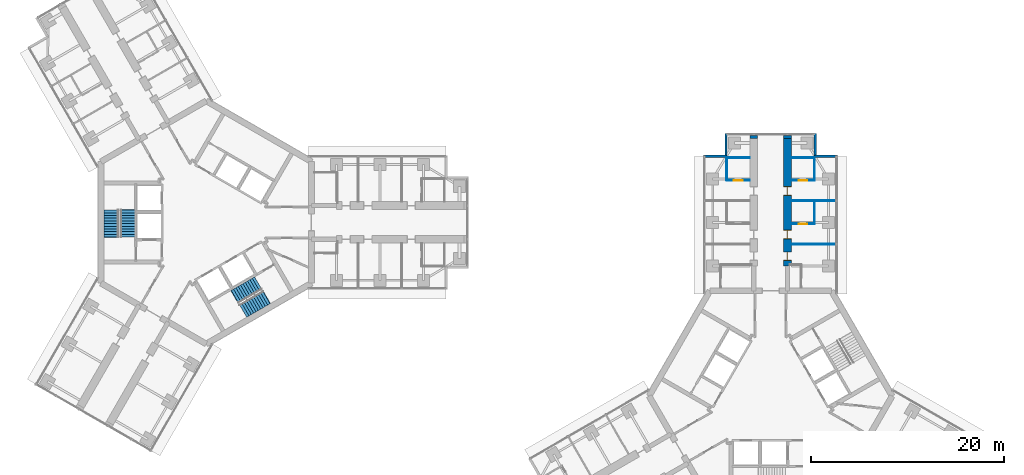
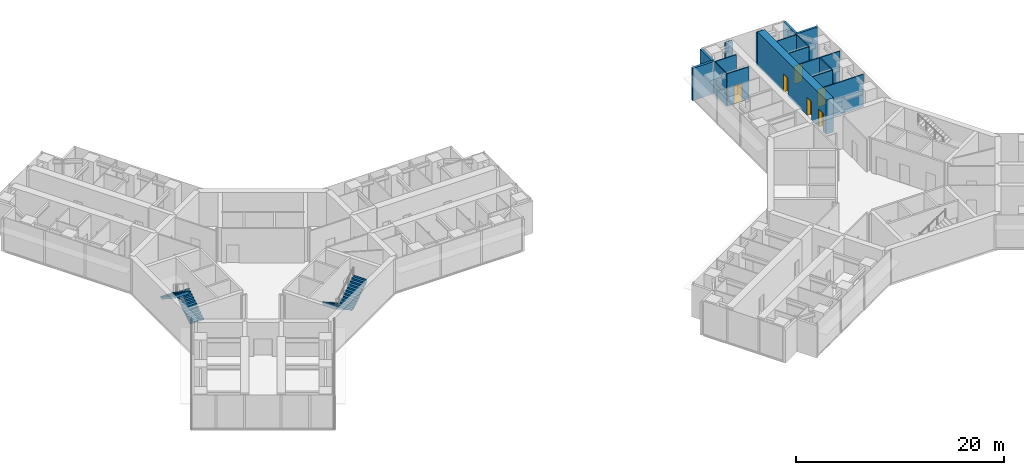
# One storey, part 21 of 23: 17 walls, 6 doors, 4 stair flights, 6 openings, 2 elements without a shape of their own.
"""IFC4 building model written with IfcOpenShell, lengths in metres."""

from ifc_helpers import new_model, si_unit, direction, frame, frame_2d, origin, place, context, subcontext, project, spatial, polyline, rectangle, outline, extrude, material, layer, layer_set, type_object, element, fill, aggregate, save


model = new_model("IFC4")

# Units and contexts
model_context = context("Model", 3, precision=1e-05, world=origin(), true_north=direction((0.0, 1.0)))
body_context = subcontext(model_context, "Body", "Model", "MODEL_VIEW")
ifc_project = project(units=[si_unit("LENGTHUNIT", "METRE"), si_unit("AREAUNIT", "SQUARE_METRE"), si_unit("VOLUMEUNIT", "CUBIC_METRE"), si_unit("PLANEANGLEUNIT", "RADIAN"), si_unit("MASSUNIT", "GRAM", prefix="KILO")], contexts=[model_context])

# Site, building, storey
site_placement = place(None, origin())
site = spatial("IfcSite", under=ifc_project, at=site_placement, CompositionType="ELEMENT")
building_placement = place(site_placement, origin())
building = spatial("IfcBuilding", under=site, at=building_placement, Name="Upepo Twin Towers", CompositionType="ELEMENT")
storey_placement = place(building_placement, frame((0.0, 0.0, 145.5)))
storey = spatial("IfcBuildingStorey", under=building, at=storey_placement, Name="L35", CompositionType="ELEMENT", Elevation=145.5)

# Walls
ifc_material_1 = material(Name="Dense concrete blockwork", Category="masonry")
ifc_layer_1 = layer(ifc_material_1, 0.800048828125)
ifc_layer_set_1 = layer_set([ifc_layer_1], Name="Buttress closer 800, blockwork with fire-stopping to the curtain wall")
wall_type_1 = type_object("IfcWallType", Name="Buttress closer 800, blockwork with fire-stopping to the curtain wall", PredefinedType="PARTITIONING", material=ifc_layer_set_1)
for number, where, z_axis, x_axis, name in (
    (1, (56.75, 8.699951171875, 0.0), (0.0, 0.0, 1.0), (0.0, 1.0, 0.0), "T2 L35 wing A buttress closer L"),
    (2, (60.25, 8.699951171875, 0.0), (0.0, 0.0, 1.0), (0.0, 1.0, 0.0), "T2 L35 wing A buttress closer R"),
):
    element("IfcWall", number, at=place(storey_placement, frame(where, z_axis=z_axis, x_axis=x_axis)), inside=storey, type_object=wall_type_1, Name=name, PredefinedType="PARTITIONING", context=body_context, shape_type="SweptSolid", body=[
        extrude(rectangle(XDim=0.300048828125, YDim=0.800048828125, at=frame_2d((0.14990234375, 0.0))), origin(), (0.0, 0.0, 1.0), 3.800048828125),
    ])

# Wall, openings, doors
ifc_material_2 = material(Name="Concrete C60/75", Category="concrete")
ifc_layer_2 = layer(ifc_material_2, 0.800048828125)
ifc_layer_set_2 = layer_set([ifc_layer_2], Name="Concrete C60/75")
wall_type_2 = type_object("IfcWallType", Name="Buttress wall 800 RC", PredefinedType="SHEAR", material=ifc_layer_set_2)
wall_1_placement = place(storey_placement, frame((60.25, -4.5, 0.0), z_axis=(0.0, 0.0, 1.0), x_axis=(0.0, 1.0, 0.0)))
wall_1 = element("IfcWall", 3, at=wall_1_placement, inside=storey, type_object=wall_type_2, Name="T2 wing A buttress wall R part 2", PredefinedType="SHEAR", context=body_context, shape_type="SweptSolid", body=[
    extrude(rectangle(XDim=13.199951171875, YDim=0.800048828125, at=frame_2d((6.60009765625, 0.0))), origin(), (0.0, 0.0, 1.0), 4.0),
])
opening_1_placement = place(wall_1_placement, frame((0.550048828125, 0.0, 0.0)))
opening_1 = element("IfcOpeningElement", 4, at=opening_1_placement, cuts=wall_1, Name="Opening D11", PredefinedType="OPENING", context=body_context, shape_type="SweptSolid", body=[
    extrude(rectangle(XDim=0.89990234375, YDim=2.10009765625, at=frame_2d((0.449951171875, 1.050048828125))), frame((0.0, 0.409912109375, 0.0), z_axis=(0.0, -1.0, 0.0), x_axis=(1.0, 0.0, 0.0)), (0.0, 0.0, 1.0), 0.820068359375),
])
opening_2_placement = place(wall_1_placement, frame((2.800048828125, 0.0, 0.0)))
opening_2 = element("IfcOpeningElement", 5, at=opening_2_placement, cuts=wall_1, Name="Opening D14", PredefinedType="OPENING", context=body_context, shape_type="SweptSolid", body=[
    extrude(rectangle(XDim=0.89990234375, YDim=2.10009765625, at=frame_2d((0.449951171875, 1.050048828125))), frame((0.0, 0.409912109375, 0.0), z_axis=(0.0, -1.0, 0.0), x_axis=(1.0, 0.0, 0.0)), (0.0, 0.0, 1.0), 0.820068359375),
])
opening_3_placement = place(wall_1_placement, frame((7.300048828125, 0.0, 0.0)))
opening_3 = element("IfcOpeningElement", 6, at=opening_3_placement, cuts=wall_1, Name="Opening D14", PredefinedType="OPENING", context=body_context, shape_type="SweptSolid", body=[
    extrude(rectangle(XDim=0.89990234375, YDim=2.10009765625, at=frame_2d((0.449951171875, 1.050048828125))), frame((0.0, 0.409912109375, 0.0), z_axis=(0.0, -1.0, 0.0), x_axis=(1.0, 0.0, 0.0)), (0.0, 0.0, 1.0), 0.820068359375),
])
ifc_material_3 = material(Name="Timber doorset", Category="wood")
door_type_1 = type_object("IfcDoorType", Name="Office door 900 FD30", OperationType="SINGLE_SWING_LEFT", PredefinedType="DOOR", material=ifc_material_3)
door_1_placement = place(opening_2_placement, origin())
door_1 = element("IfcDoor", 7, at=door_1_placement, inside=storey, type_object=door_type_1, Name="T2 L35 staff office door", OperationType="SINGLE_SWING_LEFT", OverallHeight=2.10009765625, OverallWidth=0.89990234375, PredefinedType="DOOR", context=body_context, shape_type="SweptSolid", body=[
    extrude(rectangle(XDim=0.81990234375, YDim=2.06009765625, at=frame_2d((0.449951171875, 1.030029296875))), frame((0.0, 0.02490234375, 0.0), z_axis=(0.0, -1.0, 0.0), x_axis=(1.0, 0.0, 0.0)), (0.0, 0.0, 1.0), 0.050048828125),
    extrude(rectangle(XDim=0.04, YDim=2.10009765625, at=frame_2d((0.02001953125, 1.050048828125))), frame((0.0, 0.39990234375, 0.0), z_axis=(0.0, -1.0, 0.0), x_axis=(1.0, 0.0, 0.0)), (0.0, 0.0, 1.0), 0.799560546875),
    extrude(rectangle(XDim=0.04, YDim=2.10009765625, at=frame_2d((0.8798828125, 1.050048828125))), frame((0.0, 0.39990234375, 0.0), z_axis=(0.0, -1.0, 0.0), x_axis=(1.0, 0.0, 0.0)), (0.0, 0.0, 1.0), 0.799560546875),
    extrude(rectangle(XDim=0.81990234375, YDim=0.04, at=frame_2d((0.449951171875, 2.080078125))), frame((0.0, 0.39990234375, 0.0), z_axis=(0.0, -1.0, 0.0), x_axis=(1.0, 0.0, 0.0)), (0.0, 0.0, 1.0), 0.799560546875),
])
fill(opening_2, door_1)
door_2_placement = place(opening_3_placement, origin())
door_2 = element("IfcDoor", 8, at=door_2_placement, inside=storey, type_object=door_type_1, Name="T2 L35 postgraduate office door", OperationType="SINGLE_SWING_RIGHT", OverallHeight=2.10009765625, OverallWidth=0.89990234375, PredefinedType="DOOR", context=body_context, shape_type="SweptSolid", body=[
    extrude(rectangle(XDim=0.81990234375, YDim=2.06009765625, at=frame_2d((0.449951171875, 1.030029296875))), frame((0.0, 0.02490234375, 0.0), z_axis=(0.0, -1.0, 0.0), x_axis=(1.0, 0.0, 0.0)), (0.0, 0.0, 1.0), 0.050048828125),
    extrude(rectangle(XDim=0.04, YDim=2.10009765625, at=frame_2d((0.02001953125, 1.050048828125))), frame((0.0, 0.39990234375, 0.0), z_axis=(0.0, -1.0, 0.0), x_axis=(1.0, 0.0, 0.0)), (0.0, 0.0, 1.0), 0.799560546875),
    extrude(rectangle(XDim=0.04, YDim=2.10009765625, at=frame_2d((0.8798828125, 1.050048828125))), frame((0.0, 0.39990234375, 0.0), z_axis=(0.0, -1.0, 0.0), x_axis=(1.0, 0.0, 0.0)), (0.0, 0.0, 1.0), 0.799560546875),
    extrude(rectangle(XDim=0.81990234375, YDim=0.04, at=frame_2d((0.449951171875, 2.080078125))), frame((0.0, 0.39990234375, 0.0), z_axis=(0.0, -1.0, 0.0), x_axis=(1.0, 0.0, 0.0)), (0.0, 0.0, 1.0), 0.799560546875),
])
fill(opening_3, door_2)
ifc_material_4 = material(Name="Timber doorset", Category="wood")
door_type_2 = type_object("IfcDoorType", Name="Toilet door 900", OperationType="SINGLE_SWING_LEFT", PredefinedType="DOOR", material=ifc_material_4)
door_3_placement = place(opening_1_placement, origin())
door_3 = element("IfcDoor", 9, at=door_3_placement, inside=storey, type_object=door_type_2, Name="T2 L35 toilets door", OperationType="SINGLE_SWING_LEFT", OverallHeight=2.10009765625, OverallWidth=0.89990234375, PredefinedType="DOOR", context=body_context, shape_type="SweptSolid", body=[
    extrude(rectangle(XDim=0.81990234375, YDim=2.06009765625, at=frame_2d((0.449951171875, 1.030029296875))), frame((0.0, 0.02490234375, 0.0), z_axis=(0.0, -1.0, 0.0), x_axis=(1.0, 0.0, 0.0)), (0.0, 0.0, 1.0), 0.050048828125),
    extrude(rectangle(XDim=0.04, YDim=2.10009765625, at=frame_2d((0.02001953125, 1.050048828125))), frame((0.0, 0.39990234375, 0.0), z_axis=(0.0, -1.0, 0.0), x_axis=(1.0, 0.0, 0.0)), (0.0, 0.0, 1.0), 0.799560546875),
    extrude(rectangle(XDim=0.04, YDim=2.10009765625, at=frame_2d((0.8798828125, 1.050048828125))), frame((0.0, 0.39990234375, 0.0), z_axis=(0.0, -1.0, 0.0), x_axis=(1.0, 0.0, 0.0)), (0.0, 0.0, 1.0), 0.799560546875),
    extrude(rectangle(XDim=0.81990234375, YDim=0.04, at=frame_2d((0.449951171875, 2.080078125))), frame((0.0, 0.39990234375, 0.0), z_axis=(0.0, -1.0, 0.0), x_axis=(1.0, 0.0, 0.0)), (0.0, 0.0, 1.0), 0.799560546875),
])
fill(opening_1, door_3)

# Walls
ifc_material_5 = material(Name="Blockwork with anodised aluminium cladding", Category="masonry")
ifc_layer_3 = layer(ifc_material_5, 0.25)
ifc_layer_set_3 = layer_set([ifc_layer_3], Name="Notch cladding wall 250, pale metal")
wall_type_3 = type_object("IfcWallType", Name="Notch cladding wall 250, pale metal", PredefinedType="STANDARD", material=ifc_layer_set_3)
for number, where, z_axis, x_axis, name in (
    (10, (51.550048828125, 6.875, 0.0), (0.0, 0.0, 1.0), (1.0, 0.0, 0.0), "T2 L35 wing A notch wall L1"),
    (11, (53.875, 6.875, 0.0), (0.0, 0.0, 1.0), (0.0, 1.0, 0.0), "T2 L35 wing A notch wall L2"),
    (12, (65.449951171875, 6.875, 0.0), (0.0, 0.0, 1.0), (-1.0, 0.0, 0.0), "T2 L35 wing A notch wall R1"),
    (13, (63.125, 6.875, 0.0), (0.0, 0.0, 1.0), (0.0, 1.0, 0.0), "T2 L35 wing A notch wall R2"),
):
    element("IfcWall", number, at=place(storey_placement, frame(where, z_axis=z_axis, x_axis=x_axis)), inside=storey, type_object=wall_type_3, Name=name, PredefinedType="STANDARD", context=body_context, shape_type="SweptSolid", body=[
        extrude(rectangle(XDim=2.324951171875, YDim=0.25, at=frame_2d((1.16259765625, 0.0))), origin(), (0.0, 0.0, 1.0), 3.800048828125),
    ])
ifc_material_6 = material(Name="Gypsum board on steel studs", Category="steel")
ifc_layer_4 = layer(ifc_material_6, 0.10009765625)
ifc_layer_set_4 = layer_set([ifc_layer_4], Name="Office partition 100 stud")
wall_type_4 = type_object("IfcWallType", Name="Office partition 100 stud", PredefinedType="PARTITIONING", material=ifc_layer_set_4)
wall_2_placement = place(storey_placement, frame((53.949951171875, 4.35009765625, 0.0), z_axis=(0.0, 0.0, 1.0), x_axis=(0.0, 1.0, 0.0)))
element("IfcWall", 14, at=wall_2_placement, inside=storey, type_object=wall_type_4, Name="T2 inner room partition AL at 22.35", PredefinedType="PARTITIONING", context=body_context, shape_type="SweptSolid", body=[
    extrude(rectangle(XDim=2.39990234375, YDim=0.10009765625, at=frame_2d((1.199951171875, 0.0))), origin(), (0.0, 0.0, 1.0), 3.800048828125),
])

# Wall, opening, door
wall_3_placement = place(storey_placement, frame((56.35009765625, 4.35009765625, 0.0), z_axis=(0.0, 0.0, 1.0), x_axis=(-1.0, 0.0, 0.0)))
wall_3 = element("IfcWall", 15, at=wall_3_placement, inside=storey, type_object=wall_type_4, Name="T2 inner room partition AL end at 22.35", PredefinedType="PARTITIONING", context=body_context, shape_type="SweptSolid", body=[
    extrude(rectangle(XDim=2.400146484375, YDim=0.10009765625, at=frame_2d((1.2001953125, 0.0))), origin(), (0.0, 0.0, 1.0), 3.800048828125),
])
opening_4_placement = place(wall_3_placement, frame((0.75, 0.0, 0.0)))
opening_4 = element("IfcOpeningElement", 16, at=opening_4_placement, cuts=wall_3, Name="Opening D14", PredefinedType="OPENING", context=body_context, shape_type="SweptSolid", body=[
    extrude(rectangle(XDim=0.89990234375, YDim=2.10009765625, at=frame_2d((0.449951171875, 1.050048828125))), frame((0.0, 0.06005859375, 0.0), z_axis=(0.0, -1.0, 0.0), x_axis=(1.0, 0.0, 0.0)), (0.0, 0.0, 1.0), 0.1201171875),
])
door_4_placement = place(opening_4_placement, origin())
door_4 = element("IfcDoor", 17, at=door_4_placement, inside=storey, type_object=door_type_1, Name="T2 L35 inner room door", OperationType="SINGLE_SWING_LEFT", OverallHeight=2.10009765625, OverallWidth=0.89990234375, PredefinedType="DOOR", context=body_context, shape_type="SweptSolid", body=[
    extrude(rectangle(XDim=0.89990234375, YDim=2.10009765625, at=frame_2d((0.449951171875, 1.050048828125))), frame((0.0, 0.02490234375, 0.0), z_axis=(0.0, -1.0, 0.0), x_axis=(1.0, 0.0, 0.0)), (0.0, 0.0, 1.0), 0.050048828125),
])
fill(opening_4, door_4)

# Walls
wall_4_placement = place(storey_placement, frame((56.35009765625, 6.699951171875, 0.0), z_axis=(0.0, 0.0, 1.0), x_axis=(-1.0, 0.0, 0.0)))
element("IfcWall", 18, at=wall_4_placement, inside=storey, type_object=wall_type_4, Name="T2 inner room partition AL end at 24.75", PredefinedType="PARTITIONING", context=body_context, shape_type="SweptSolid", body=[
    extrude(rectangle(XDim=2.400146484375, YDim=0.10009765625, at=frame_2d((1.2001953125, 0.0))), origin(), (0.0, 0.0, 1.0), 3.800048828125),
])
for number, where, z_axis, x_axis, name in (
    (19, (60.64990234375, -2.25, 0.0), (0.0, 0.0, 1.0), (1.0, 0.0, 0.0), "T2 partition AR at 15.75"),
    (20, (60.64990234375, 2.25, 0.0), (0.0, 0.0, 1.0), (1.0, 0.0, 0.0), "T2 partition AR at 20.25"),
):
    element("IfcWall", number, at=place(storey_placement, frame(where, z_axis=z_axis, x_axis=x_axis)), inside=storey, type_object=wall_type_4, Name=name, PredefinedType="PARTITIONING", context=body_context, shape_type="SweptSolid", body=[
        extrude(rectangle(XDim=4.60009765625, YDim=0.10009765625, at=frame_2d((2.300048828125, 0.0))), origin(), (0.0, 0.0, 1.0), 3.800048828125),
    ])
wall_5_placement = place(storey_placement, frame((63.050048828125, -0.14990234375, 0.0), z_axis=(0.0, 0.0, 1.0), x_axis=(0.0, 1.0, 0.0)))
element("IfcWall", 21, at=wall_5_placement, inside=storey, type_object=wall_type_4, Name="T2 inner room partition AR at 17.85", PredefinedType="PARTITIONING", context=body_context, shape_type="SweptSolid", body=[
    extrude(rectangle(XDim=2.39990234375, YDim=0.10009765625, at=frame_2d((1.199951171875, 0.0))), origin(), (0.0, 0.0, 1.0), 3.800048828125),
])

# Wall, opening, door
wall_6_placement = place(storey_placement, frame((60.64990234375, -0.14990234375, 0.0), z_axis=(0.0, 0.0, 1.0), x_axis=(1.0, 0.0, 0.0)))
wall_6 = element("IfcWall", 22, at=wall_6_placement, inside=storey, type_object=wall_type_4, Name="T2 inner room partition AR end at 17.85", PredefinedType="PARTITIONING", context=body_context, shape_type="SweptSolid", body=[
    extrude(rectangle(XDim=2.400146484375, YDim=0.10009765625, at=frame_2d((1.2001953125, 0.0))), origin(), (0.0, 0.0, 1.0), 3.800048828125),
])
opening_5_placement = place(wall_6_placement, frame((0.75, 0.0, 0.0)))
opening_5 = element("IfcOpeningElement", 23, at=opening_5_placement, cuts=wall_6, Name="Opening D14", PredefinedType="OPENING", context=body_context, shape_type="SweptSolid", body=[
    extrude(rectangle(XDim=0.89990234375, YDim=2.10009765625, at=frame_2d((0.449951171875, 1.050048828125))), frame((0.0, 0.06005859375, 0.0), z_axis=(0.0, -1.0, 0.0), x_axis=(1.0, 0.0, 0.0)), (0.0, 0.0, 1.0), 0.1201171875),
])
door_5_placement = place(opening_5_placement, origin())
door_5 = element("IfcDoor", 24, at=door_5_placement, inside=storey, type_object=door_type_1, Name="T2 L35 inner room door", OperationType="SINGLE_SWING_LEFT", OverallHeight=2.10009765625, OverallWidth=0.89990234375, PredefinedType="DOOR", context=body_context, shape_type="SweptSolid", body=[
    extrude(rectangle(XDim=0.89990234375, YDim=2.10009765625, at=frame_2d((0.449951171875, 1.050048828125))), frame((0.0, 0.02490234375, 0.0), z_axis=(0.0, -1.0, 0.0), x_axis=(1.0, 0.0, 0.0)), (0.0, 0.0, 1.0), 0.050048828125),
])
fill(opening_5, door_5)

# Wall
wall_7_placement = place(storey_placement, frame((63.050048828125, 4.35009765625, 0.0), z_axis=(0.0, 0.0, 1.0), x_axis=(0.0, 1.0, 0.0)))
element("IfcWall", 25, at=wall_7_placement, inside=storey, type_object=wall_type_4, Name="T2 inner room partition AR at 22.35", PredefinedType="PARTITIONING", context=body_context, shape_type="SweptSolid", body=[
    extrude(rectangle(XDim=2.39990234375, YDim=0.10009765625, at=frame_2d((1.199951171875, 0.0))), origin(), (0.0, 0.0, 1.0), 3.800048828125),
])

# Wall, opening, door
wall_8_placement = place(storey_placement, frame((60.64990234375, 4.35009765625, 0.0), z_axis=(0.0, 0.0, 1.0), x_axis=(1.0, 0.0, 0.0)))
wall_8 = element("IfcWall", 26, at=wall_8_placement, inside=storey, type_object=wall_type_4, Name="T2 inner room partition AR end at 22.35", PredefinedType="PARTITIONING", context=body_context, shape_type="SweptSolid", body=[
    extrude(rectangle(XDim=2.400146484375, YDim=0.10009765625, at=frame_2d((1.2001953125, 0.0))), origin(), (0.0, 0.0, 1.0), 3.800048828125),
])
opening_6_placement = place(wall_8_placement, frame((0.75, 0.0, 0.0)))
opening_6 = element("IfcOpeningElement", 27, at=opening_6_placement, cuts=wall_8, Name="Opening D14", PredefinedType="OPENING", context=body_context, shape_type="SweptSolid", body=[
    extrude(rectangle(XDim=0.89990234375, YDim=2.10009765625, at=frame_2d((0.449951171875, 1.050048828125))), frame((0.0, 0.06005859375, 0.0), z_axis=(0.0, -1.0, 0.0), x_axis=(1.0, 0.0, 0.0)), (0.0, 0.0, 1.0), 0.1201171875),
])
door_6_placement = place(opening_6_placement, origin())
door_6 = element("IfcDoor", 28, at=door_6_placement, inside=storey, type_object=door_type_1, Name="T2 L35 inner room door", OperationType="SINGLE_SWING_LEFT", OverallHeight=2.10009765625, OverallWidth=0.89990234375, PredefinedType="DOOR", context=body_context, shape_type="SweptSolid", body=[
    extrude(rectangle(XDim=0.89990234375, YDim=2.10009765625, at=frame_2d((0.449951171875, 1.050048828125))), frame((0.0, 0.02490234375, 0.0), z_axis=(0.0, -1.0, 0.0), x_axis=(1.0, 0.0, 0.0)), (0.0, 0.0, 1.0), 0.050048828125),
])
fill(opening_6, door_6)

# Wall
wall_9_placement = place(storey_placement, frame((60.64990234375, 6.699951171875, 0.0), z_axis=(0.0, 0.0, 1.0), x_axis=(1.0, 0.0, 0.0)))
element("IfcWall", 29, at=wall_9_placement, inside=storey, type_object=wall_type_4, Name="T2 inner room partition AR end at 24.75", PredefinedType="PARTITIONING", context=body_context, shape_type="SweptSolid", body=[
    extrude(rectangle(XDim=2.400146484375, YDim=0.10009765625, at=frame_2d((1.2001953125, 0.0))), origin(), (0.0, 0.0, 1.0), 3.800048828125),
])

# Stair, stair flights
ifc_material_7 = material(Name="Concrete C40/50", Category="concrete")
stair_type = type_object("IfcStairType", Name="Core stair, two flights", PredefinedType="HALF_TURN_STAIR", material=ifc_material_7)
stair_1_placement = place(storey_placement, origin())
stair_1 = element("IfcStair", 30, at=stair_1_placement, inside=storey, type_object=stair_type, Name="T1 stair S1 L35", PredefinedType="HALF_TURN_STAIR")
ifc_material_8 = material(Name="Concrete C40/50", Category="concrete")
stair_flight_type = type_object("IfcStairFlightType", Name="Stair flight 1500 RC", PredefinedType="STRAIGHT", material=ifc_material_8)
stair_flight_1_placement = place(storey_placement, frame((-8.14990234375, -1.52001953125, 0.0), z_axis=(0.0, 0.0, 1.0), x_axis=(0.0, 1.0, 0.0)))
stair_flight_1 = element("IfcStairFlight", 31, at=stair_flight_1_placement, type_object=stair_flight_type, Name="Stair S1 flight 1", NumberOfRisers=11, NumberOfTreads=10, PredefinedType="STRAIGHT", RiserHeight=0.181818182, TreadLength=0.28, context=body_context, shape_type="SweptSolid", body=[
    extrude(outline(polyline([(0.0, 0.0), (0.0, 0.181884765625), (0.280029296875, 0.181884765625), (0.280029296875, 0.363525390625), (0.56005859375, 0.363525390625), (0.56005859375, 0.54541015625), (0.840087890625, 0.54541015625), (0.840087890625, 0.727294921875), (1.1201171875, 0.727294921875), (1.1201171875, 0.9091796875), (1.39990234375, 0.9091796875), (1.39990234375, 1.0908203125), (1.679931640625, 1.0908203125), (1.679931640625, 1.272705078125), (1.9599609375, 1.272705078125), (1.9599609375, 1.45458984375), (2.239990234375, 1.45458984375), (2.239990234375, 1.636474609375), (2.52001953125, 1.636474609375), (2.52001953125, 1.818115234375), (2.800048828125, 1.818115234375), (2.800048828125, 2.0), (2.85009765625, 2.0), (2.85009765625, 1.639404296875), (0.3251953125, 0.0), (0.0, 0.0)])), frame((0.0, 0.75, 0.0), z_axis=(0.0, -1.0, 0.0), x_axis=(1.0, 0.0, 0.0)), (0.0, 0.0, 1.0), 1.5),
])
stair_flight_2_placement = place(storey_placement, frame((-9.8583984375, 1.280029296875, 2.0), z_axis=(0.0, 0.0, 1.0), x_axis=(0.0, -1.0, 0.0)))
stair_flight_2 = element("IfcStairFlight", 32, at=stair_flight_2_placement, type_object=stair_flight_type, Name="Stair S1 flight 2", NumberOfRisers=11, NumberOfTreads=10, PredefinedType="STRAIGHT", RiserHeight=0.181818182, TreadLength=0.28, context=body_context, shape_type="SweptSolid", body=[
    extrude(outline(polyline([(0.0, 0.0), (0.0, 0.181884765625), (0.280029296875, 0.181884765625), (0.280029296875, 0.363525390625), (0.56005859375, 0.363525390625), (0.56005859375, 0.54541015625), (0.840087890625, 0.54541015625), (0.840087890625, 0.727294921875), (1.1201171875, 0.727294921875), (1.1201171875, 0.9091796875), (1.39990234375, 0.9091796875), (1.39990234375, 1.0908203125), (1.679931640625, 1.0908203125), (1.679931640625, 1.272705078125), (1.9599609375, 1.272705078125), (1.9599609375, 1.45458984375), (2.239990234375, 1.45458984375), (2.239990234375, 1.636474609375), (2.52001953125, 1.636474609375), (2.52001953125, 1.818115234375), (2.800048828125, 1.818115234375), (2.800048828125, 2.0), (2.85009765625, 2.0), (2.85009765625, 1.639404296875), (0.3251953125, 0.0), (0.0, 0.0)])), frame((0.0, 0.75, 0.0), z_axis=(0.0, -1.0, 0.0), x_axis=(1.0, 0.0, 0.0)), (0.0, 0.0, 1.0), 1.5),
])
aggregate(stair_1, [stair_flight_1, stair_flight_2])

stair_2_placement = place(storey_placement, origin())
stair_2 = element("IfcStair", 33, at=stair_2_placement, inside=storey, type_object=stair_type, Name="T1 stair S2 L35", PredefinedType="HALF_TURN_STAIR")
stair_flight_3_placement = place(storey_placement, frame((5.391357421875, -6.298095703125, 0.0), z_axis=(0.0, 0.0, 1.0), x_axis=(-0.866025403784, -0.5, 0.0)))
stair_flight_3 = element("IfcStairFlight", 34, at=stair_flight_3_placement, type_object=stair_flight_type, Name="Stair S2 flight 1", NumberOfRisers=11, NumberOfTreads=10, PredefinedType="STRAIGHT", RiserHeight=0.181818182, TreadLength=0.28, context=body_context, shape_type="SweptSolid", body=[
    extrude(outline(polyline([(0.0, 0.0), (0.0, 0.181884765625), (0.280029296875, 0.181884765625), (0.280029296875, 0.363525390625), (0.56005859375, 0.363525390625), (0.56005859375, 0.54541015625), (0.840087890625, 0.54541015625), (0.840087890625, 0.727294921875), (1.1201171875, 0.727294921875), (1.1201171875, 0.9091796875), (1.39990234375, 0.9091796875), (1.39990234375, 1.0908203125), (1.679931640625, 1.0908203125), (1.679931640625, 1.272705078125), (1.9599609375, 1.272705078125), (1.9599609375, 1.45458984375), (2.239990234375, 1.45458984375), (2.239990234375, 1.636474609375), (2.52001953125, 1.636474609375), (2.52001953125, 1.818115234375), (2.800048828125, 1.818115234375), (2.800048828125, 2.0), (2.85009765625, 2.0), (2.85009765625, 1.639404296875), (0.3251953125, 0.0), (0.0, 0.0)])), frame((0.0, 0.75, 0.0), z_axis=(0.0, -1.0, 0.0), x_axis=(1.0, 0.0, 0.0)), (0.0, 0.0, 1.0), 1.5),
])
stair_flight_4_placement = place(storey_placement, frame((3.820556640625, -9.177490234375, 2.0), z_axis=(0.0, 0.0, 1.0), x_axis=(0.866025403784, 0.5, 0.0)))
stair_flight_4 = element("IfcStairFlight", 35, at=stair_flight_4_placement, type_object=stair_flight_type, Name="Stair S2 flight 2", NumberOfRisers=11, NumberOfTreads=10, PredefinedType="STRAIGHT", RiserHeight=0.181818182, TreadLength=0.28, context=body_context, shape_type="SweptSolid", body=[
    extrude(outline(polyline([(0.0, 0.0), (0.0, 0.181884765625), (0.280029296875, 0.181884765625), (0.280029296875, 0.363525390625), (0.56005859375, 0.363525390625), (0.56005859375, 0.54541015625), (0.840087890625, 0.54541015625), (0.840087890625, 0.727294921875), (1.1201171875, 0.727294921875), (1.1201171875, 0.9091796875), (1.39990234375, 0.9091796875), (1.39990234375, 1.0908203125), (1.679931640625, 1.0908203125), (1.679931640625, 1.272705078125), (1.9599609375, 1.272705078125), (1.9599609375, 1.45458984375), (2.239990234375, 1.45458984375), (2.239990234375, 1.636474609375), (2.52001953125, 1.636474609375), (2.52001953125, 1.818115234375), (2.800048828125, 1.818115234375), (2.800048828125, 2.0), (2.85009765625, 2.0), (2.85009765625, 1.639404296875), (0.3251953125, 0.0), (0.0, 0.0)])), frame((0.0, 0.75, 0.0), z_axis=(0.0, -1.0, 0.0), x_axis=(1.0, 0.0, 0.0)), (0.0, 0.0, 1.0), 1.5),
])
aggregate(stair_2, [stair_flight_3, stair_flight_4])

save(model, "model.ifc")
